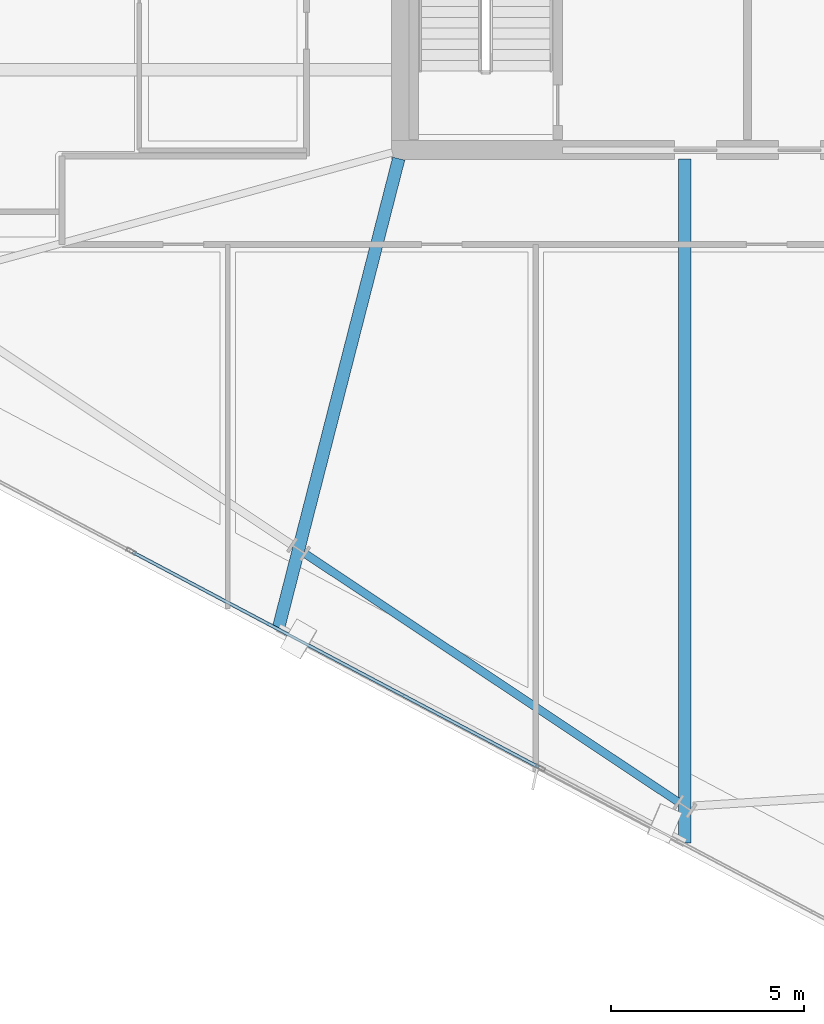
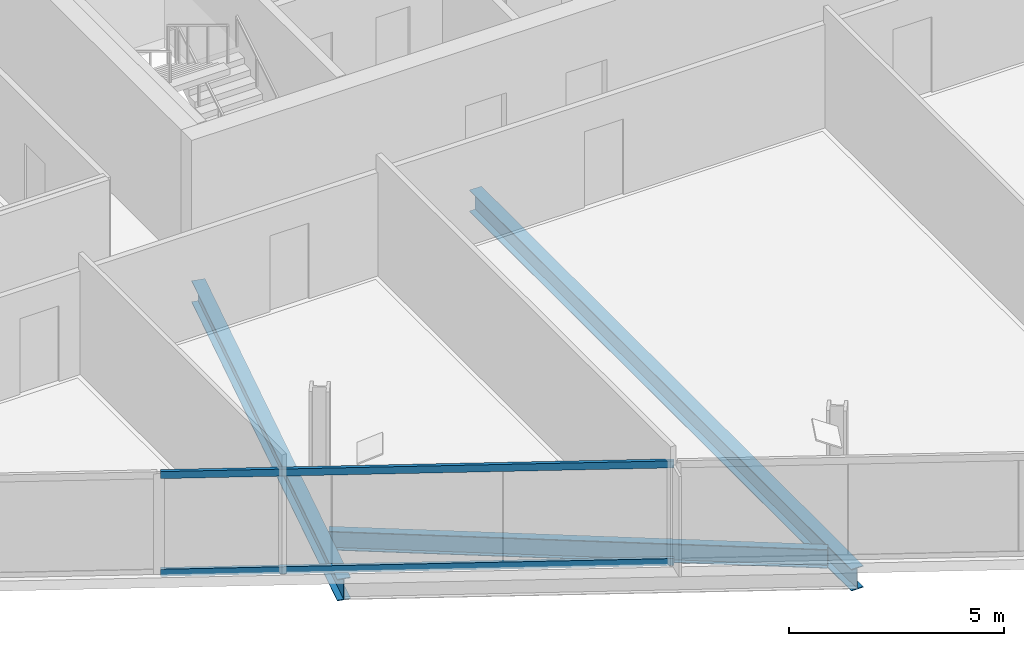
# One storey, part 4 of 28: 3 beams, 2 members, 1 element without a shape of its own.
"""IFC4 building model written with IfcOpenShell, lengths in metres."""

from ifc_helpers import new_model, si_unit, direction, frame, origin, origin_2d, place, context, subcontext, project, spatial, hollow_rectangle, i_section, extrude, material, material_profile, profile_set, type_object, element, aggregate, save


model = new_model("IFC4")

# Units and contexts
model_context = context("Model", 3, precision=1e-05, world=origin(), true_north=direction((0.0, 1.0)))
body_context = subcontext(model_context, "Body", "Model", "MODEL_VIEW")
ifc_project = project(units=[si_unit("LENGTHUNIT", "METRE"), si_unit("AREAUNIT", "SQUARE_METRE"), si_unit("VOLUMEUNIT", "CUBIC_METRE"), si_unit("PLANEANGLEUNIT", "RADIAN"), si_unit("MASSUNIT", "GRAM", prefix="KILO")], contexts=[model_context])

# Site, building, storey
site_placement = place(None, origin())
site = spatial("IfcSite", under=ifc_project, at=site_placement, CompositionType="ELEMENT")
building_placement = place(site_placement, origin())
building = spatial("IfcBuilding", under=site, at=building_placement, Name="Haldenkirk Collegiate Tower", CompositionType="ELEMENT")
storey_placement = place(building_placement, frame((0.0, 0.0, 235.949951171875)))
storey = spatial("IfcBuildingStorey", under=building, at=storey_placement, Name="L59", CompositionType="ELEMENT", Elevation=235.949951171875)

# Beams
ifc_material_1 = material(Name="Steel ASTM A992 Grade 50", Category="steel")
ifc_material_profile_1 = material_profile(ifc_material_1, i_section(OverallWidth=0.324951171875, OverallDepth=0.615966796875, WebThickness=0.013916015625, FlangeThickness=0.021484375, at=origin_2d()), Name="W24X117")
ifc_profile_set_1 = profile_set([ifc_material_profile_1], Name="Steel ASTM A992 Grade 50")
beam_type_1 = type_object("IfcBeamType", Name="BM-GIRDER-W24X117", PredefinedType="BEAM", material=ifc_profile_set_1)
beam_1_placement = place(storey_placement, frame((23.822021484375, 5.596923828125, -0.587890625), z_axis=(0.248205769324, 0.968707332518, 0.0), x_axis=(-0.968707332518, 0.248205769324, 0.0)))
element("IfcBeam", 1, at=beam_1_placement, inside=storey, type_object=beam_type_1, Name="L59 primary floor girder 15", PredefinedType="BEAM", context=body_context, shape_type="SweptSolid", body=[
    extrude(i_section(OverallWidth=0.324951171875, OverallDepth=0.615966796875, WebThickness=0.013916015625, FlangeThickness=0.021484375, at=origin_2d()), origin(), (0.0, 0.0, 1.0), 12.57373046875),
])
beam_2_placement = place(storey_placement, frame((34.376708984375, 0.008544921875, -0.587890625), z_axis=(0.0, 1.0, 0.0), x_axis=(-1.0, 0.0, 0.0)))
element("IfcBeam", 2, at=beam_2_placement, inside=storey, type_object=beam_type_1, Name="L59 primary floor girder 16", PredefinedType="BEAM", context=body_context, shape_type="SweptSolid", body=[
    extrude(i_section(OverallWidth=0.324951171875, OverallDepth=0.615966796875, WebThickness=0.013916015625, FlangeThickness=0.021484375, at=origin_2d()), origin(), (0.0, 0.0, 1.0), 17.761474609375),
])
ifc_material_profile_2 = material_profile(ifc_material_1, i_section(OverallWidth=0.2099609375, OverallDepth=0.537109375, WebThickness=0.010986328125, FlangeThickness=0.017333984375, at=origin_2d()), Name="W21X68")
ifc_profile_set_2 = profile_set([ifc_material_profile_2], Name="Steel ASTM A992 Grade 50")
beam_type_2 = type_object("IfcBeamType", Name="BM-SPANDREL-W21X68", PredefinedType="SPANDREL", material=ifc_profile_set_2)
beam_3_placement = place(storey_placement, frame((24.52392578125, 7.510986328125, -0.54833984375), z_axis=(0.832441238083, -0.554113332395, 0.0), x_axis=(0.554113332395, 0.832441238083, 0.0)))
element("IfcBeam", 3, at=beam_3_placement, inside=storey, type_object=beam_type_2, Name="L59 perimeter spandrel beam 15", PredefinedType="SPANDREL", context=body_context, shape_type="SweptSolid", body=[
    extrude(i_section(OverallWidth=0.2099609375, OverallDepth=0.537109375, WebThickness=0.010986328125, FlangeThickness=0.017333984375, at=origin_2d()), origin(), (0.0, 0.0, 1.0), 11.618896484375),
])

# Curtain wall, members
ifc_material_2 = material(Name="Anodised architectural bronze aluminium", Category="aluminium")
curtain_wall_type = type_object("IfcCurtainWallType", Name="CW-SYS1B-CONVEX-HI", PredefinedType="USERDEFINED", material=ifc_material_2)
curtain_wall_placement = place(storey_placement, origin())
curtain_wall = element("IfcCurtainWall", 4, at=curtain_wall_placement, inside=storey, type_object=curtain_wall_type, Name="L59 Upper tower high-wind convex bronze unitised curtain wall", ObjectType="UNITISED CURTAIN WALL", PredefinedType="USERDEFINED")
ifc_material_profile_3 = material_profile(ifc_material_2, hollow_rectangle(XDim=0.0849609375, YDim=0.199951171875, WallThickness=0.0048828125, at=origin_2d()), Name="CW-TRN-1B")
ifc_profile_set_3 = profile_set([ifc_material_profile_3], Name="Anodised architectural bronze aluminium")
member_type = type_object("IfcMemberType", Name="CW-TRN-1B", PredefinedType="USERDEFINED", material=ifc_profile_set_3)
member_1_placement = place(storey_placement, frame((30.584228515625, 1.97119140625, 0.04248046875), z_axis=(-0.883764539236, 0.467931874518, 0.0), x_axis=(-0.467931874518, -0.883764539236, 0.0)))
member_1 = element("IfcMember", 5, at=member_1_placement, type_object=member_type, Name="CW-1B transom 2.1", ObjectType="TRANSOM", PredefinedType="USERDEFINED", context=body_context, shape_type="SweptSolid", body=[
    extrude(hollow_rectangle(XDim=0.0849609375, YDim=0.199951171875, WallThickness=0.0048828125, at=origin_2d()), origin(), (0.0, 0.0, 1.0), 11.940185546875),
])
member_2_placement = place(storey_placement, frame((30.584228515625, 1.97119140625, 2.8154296875), z_axis=(-0.883764539236, 0.467931874518, 0.0), x_axis=(-0.467931874518, -0.883764539236, 0.0)))
member_2 = element("IfcMember", 6, at=member_2_placement, type_object=member_type, Name="CW-1B transom 2.2", ObjectType="TRANSOM", PredefinedType="USERDEFINED", context=body_context, shape_type="SweptSolid", body=[
    extrude(hollow_rectangle(XDim=0.0849609375, YDim=0.199951171875, WallThickness=0.0048828125, at=origin_2d()), origin(), (0.0, 0.0, 1.0), 11.940185546875),
])
aggregate(curtain_wall, [member_1, member_2])

save(model, "model.ifc")
